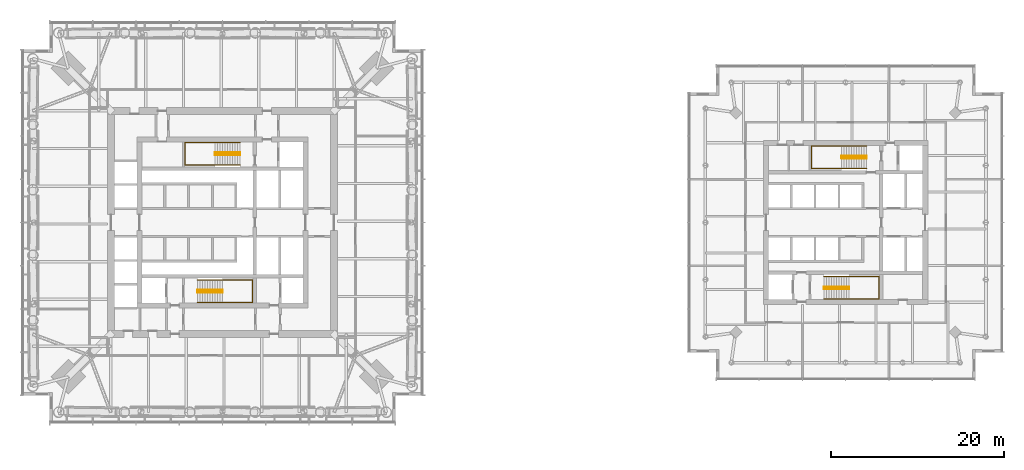
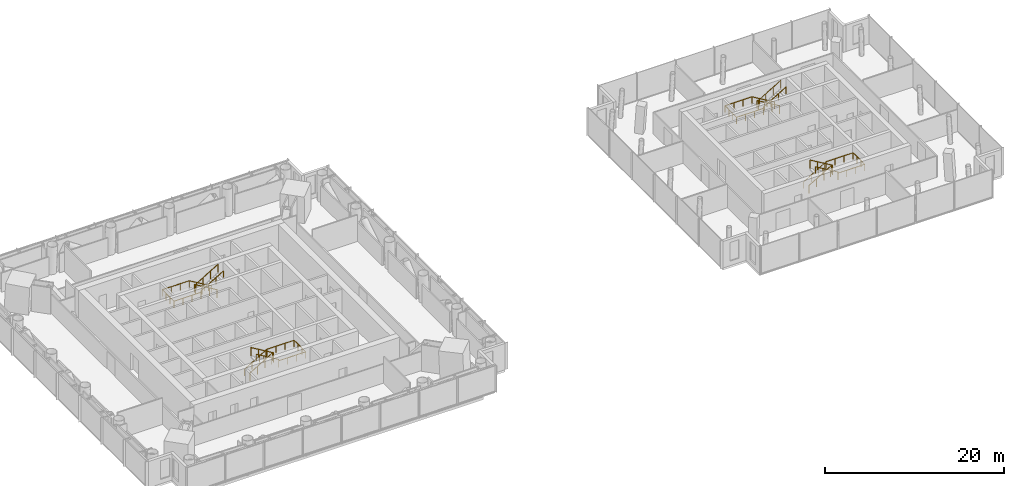
# One storey, part 18 of 18: 8 railings.
"""IFC4 building model written with IfcOpenShell, lengths in metres."""

import ifcopenshell
import ifcopenshell.guid

model = None  # the IFC model being written
_history = None  # IfcOwnerHistory: only IFC2X3 demands one
_inside = {}  # id of a spatial element -> (the spatial element, [elements in it])
_under = {}  # id of a project, library or spatial element -> (it, [spatial elements below it])
_declared = {}  # id of a project -> (the project, [libraries it declares])
_typed = {}  # id of a type object -> (the type object, [elements of that type])
_made_of = {}  # id of a material, layer set ... -> (it, [elements and type objects made of it])


def new_model(schema):
    """Start an empty IFC model of exactly this schema.

    Asked for "IFC4X3", IfcOpenShell would pick the latest addendum, in which some entities
    have other attributes; the version numbers below select the first issue.
    IFC2X3 requires an IfcOwnerHistory on every rooted entity: one is made here for all.
    """
    global model, _history
    if schema == "IFC4X3":
        model = ifcopenshell.file(schema_version=(4, 3, 0, 0))
    else:
        model = ifcopenshell.file(schema=schema)
    _inside.clear()
    _under.clear()
    _declared.clear()
    _typed.clear()
    _made_of.clear()
    _history = None
    if model.schema == "IFC2X3":
        org = make("IfcOrganization", Name="unknown")
        user = make(
            "IfcPersonAndOrganization",
            ThePerson=make("IfcPerson", FamilyName="unknown"),
            TheOrganization=org,
        )
        app = make(
            "IfcApplication",
            ApplicationDeveloper=org,
            Version="unknown",
            ApplicationFullName="unknown",
            ApplicationIdentifier="unknown",
        )
        _history = make(
            "IfcOwnerHistory",
            OwningUser=user,
            OwningApplication=app,
            ChangeAction="ADDED",
            CreationDate=0,
        )
    return model


def make(cls, **values):
    """One entity of the class cls with the attributes given. An attribute that is None is left unset."""
    return model.create_entity(
        cls, **{name: value for name, value in values.items() if value is not None}
    )


def rooted(cls, **values):
    """An entity with a GlobalId (a new one), such as an element, a storey or a relation."""
    return make(cls, GlobalId=ifcopenshell.guid.new(), OwnerHistory=_history, **values)


def si_unit(unit_type, name, prefix=None):
    """IfcSIUnit, for example si_unit("LENGTHUNIT", "METRE", prefix="MILLI")."""
    return make("IfcSIUnit", UnitType=unit_type, Prefix=prefix, Name=name)


def assignment(units):
    """IfcUnitAssignment: the units of a project."""
    return None if units is None else make("IfcUnitAssignment", Units=units)


def point(xyz):
    """IfcCartesianPoint."""
    return None if xyz is None else make("IfcCartesianPoint", Coordinates=xyz)


def direction(xyz):
    """IfcDirection."""
    return None if xyz is None else make("IfcDirection", DirectionRatios=xyz)


def frame(location, z_axis=None, x_axis=None):
    """IfcAxis2Placement3D, a coordinate frame: its origin and axes. An axis left out is left unset."""
    return make(
        "IfcAxis2Placement3D",
        Location=point(location),
        Axis=direction(z_axis),
        RefDirection=direction(x_axis),
    )


def frame_2d(location, x_axis=None):
    """IfcAxis2Placement2D, a coordinate frame in the plane: its origin and x axis."""
    return make(
        "IfcAxis2Placement2D", Location=point(location), RefDirection=direction(x_axis)
    )


def origin():
    """The frame at (0, 0, 0) with its axes left unset."""
    return frame((0.0, 0.0, 0.0))


def origin_2d():
    """The frame at (0, 0) in the plane with its x axis left unset."""
    return frame_2d((0.0, 0.0))


def place(relative_to, where):
    """IfcLocalPlacement: puts the frame where relative to a parent placement (None: the world)."""
    return make(
        "IfcLocalPlacement", PlacementRelTo=relative_to, RelativePlacement=where
    )


def context(
    kind, dimensions, precision=None, world=None, true_north=None, identifier=None
):
    """IfcGeometricRepresentationContext, for example the 3D "Model" context."""
    return make(
        "IfcGeometricRepresentationContext",
        ContextIdentifier=identifier,
        ContextType=kind,
        CoordinateSpaceDimension=dimensions,
        Precision=precision,
        WorldCoordinateSystem=world,
        TrueNorth=true_north,
    )


def subcontext(parent, identifier, kind, view, scale=None):
    """IfcGeometricRepresentationSubContext, for example "Body" below "Model"."""
    return make(
        "IfcGeometricRepresentationSubContext",
        ContextIdentifier=identifier,
        ContextType=kind,
        ParentContext=parent,
        TargetScale=scale,
        TargetView=view,
    )


def project(units=None, contexts=None):
    """IfcProject with its units and contexts."""
    return rooted(
        "IfcProject",
        Name="project",
        RepresentationContexts=contexts,
        UnitsInContext=assignment(units),
    )


def spatial(cls, under=None, at=None, **own):
    """A site, building, storey or space (cls), placed at a placement, below another one or the project."""
    s = rooted(cls, ObjectPlacement=at, **own)
    if under is not None:
        _under.setdefault(under.id(), (under, []))[1].append(s)
    return s


def profile(cls, at=None, kind="AREA", **sizes):
    """A parametric profile (cls). Its sizes go by their IFC names, for example OverallWidth=200.0."""
    return make(cls, ProfileType=kind, Position=at, **sizes)


def circle(**sizes):
    """IfcCircleProfileDef."""
    return profile("IfcCircleProfileDef", **sizes)


def extrude(swept, where, along, depth):
    """IfcExtrudedAreaSolid: the profile swept, set in the frame where, extruded along a direction by depth."""
    return make(
        "IfcExtrudedAreaSolid",
        SweptArea=swept,
        Position=where,
        ExtrudedDirection=direction(along),
        Depth=depth,
    )


def shape(context_of_items, identifier, shape_type, items):
    """IfcShapeRepresentation: the items that make up one representation, for example the "Body"."""
    return make(
        "IfcShapeRepresentation",
        ContextOfItems=context_of_items,
        RepresentationIdentifier=identifier,
        RepresentationType=shape_type,
        Items=items,
    )


def material(Name=None, Category=None):
    """IfcMaterial."""
    return make("IfcMaterial", Name=Name, Category=Category)


def made_of(thing, what):
    """Note that an element or type object is made of a material, layer set ...; save() writes the relation."""
    if what is not None:
        _made_of.setdefault(what.id(), (what, []))[1].append(thing)
    return thing


def type_object(cls, material=None, **own):
    """A type object (cls), such as IfcWallType, which elements share."""
    return made_of(rooted(cls, **own), material)


def element(
    cls,
    number,
    at=None,
    inside=None,
    cuts=None,
    type_object=None,
    material=None,
    context=None,
    identifier="Body",
    shape_type=None,
    held_by="IfcProductDefinitionShape",
    body=None,
    shapes=None,
    **own,
):
    """One element of the class cls, such as IfcWall. Its Tag is "e" and its number.

    at: its placement. inside: the storey or other place that contains it. cuts: it is an
    opening in that element (IfcRelVoidsElement). A single representation is given by context,
    identifier, shape_type and body (its items); several are given by shapes. held_by: the class
    of the entity that holds the representations. save() writes the other relations.
    """
    e = rooted(cls, Tag="e%d" % number, ObjectPlacement=at, **own)
    if body is not None:
        shapes = [shape(context, identifier, shape_type, body)]
    if shapes is not None:
        e.Representation = make(held_by, Representations=shapes)
    if inside is not None:
        _inside.setdefault(inside.id(), (inside, []))[1].append(e)
    if cuts is not None:
        rooted(
            "IfcRelVoidsElement", RelatingBuildingElement=cuts, RelatedOpeningElement=e
        )
    if type_object is not None:
        _typed.setdefault(type_object.id(), (type_object, []))[1].append(e)
    return made_of(e, material)


def aggregate(whole, parts):
    """IfcRelAggregates: a whole, such as a stair, and the parts it consists of."""
    return rooted("IfcRelAggregates", RelatingObject=whole, RelatedObjects=parts)


def save(model, path):
    """Write the relations noted so far, then the file.

    IfcRelAggregates (storeys below a building ...), IfcRelContainedInSpatialStructure (elements
    in a storey), IfcRelDefinesByType, IfcRelAssociatesMaterial and IfcRelDeclares: one each for
    every whole, place, type object, material and project.
    """
    for whole, parts in _under.values():
        aggregate(whole, parts)
    for where, things in _inside.values():
        rooted(
            "IfcRelContainedInSpatialStructure",
            RelatedElements=things,
            RelatingStructure=where,
        )
    for kind, things in _typed.values():
        rooted("IfcRelDefinesByType", RelatedObjects=things, RelatingType=kind)
    for what, things in _made_of.values():
        rooted("IfcRelAssociatesMaterial", RelatedObjects=things, RelatingMaterial=what)
    for by, libraries in _declared.values():
        rooted("IfcRelDeclares", RelatingContext=by, RelatedDefinitions=libraries)
    model.write(path)


model = new_model("IFC4")

# Units and contexts
model_context = context("Model", 3, precision=1e-05, world=origin(), true_north=direction((0.0, 1.0)))
body_context = subcontext(model_context, "Body", "Model", "MODEL_VIEW")
ifc_project = project(units=[si_unit("LENGTHUNIT", "METRE"), si_unit("AREAUNIT", "SQUARE_METRE"), si_unit("VOLUMEUNIT", "CUBIC_METRE"), si_unit("PLANEANGLEUNIT", "RADIAN"), si_unit("MASSUNIT", "GRAM", prefix="KILO")], contexts=[model_context])

# Site, building, storey
site_placement = place(None, origin())
site = spatial("IfcSite", under=ifc_project, at=site_placement, CompositionType="ELEMENT")
building_placement = place(site_placement, origin())
building = spatial("IfcBuilding", under=site, at=building_placement, Name="Ostroluk Exchange", CompositionType="ELEMENT")
storey_placement = place(building_placement, frame((0.0, 0.0, 85.60009765625)))
storey = spatial("IfcBuildingStorey", under=building, at=storey_placement, Name="L21", CompositionType="ELEMENT", Elevation=85.60009765625)

# Railings
ifc_material_1 = material(Name="Steel S355", Category="steel")
railing_type_1 = type_object("IfcRailingType", Name="Stair guard 1100", PredefinedType="GUARDRAIL", material=ifc_material_1)
railing_1_placement = place(storey_placement, frame((42.10009765625, 38.179931640625, 0.172607421875)))
element("IfcRailing", 1, at=railing_1_placement, inside=storey, type_object=railing_type_1, Name="Stair T1-S1 guard L21", PredefinedType="GUARDRAIL", context=body_context, shape_type="SweptSolid", body=[
    extrude(circle(Radius=0.02392578125, at=origin_2d()), frame((0.0, 0.0, 1.076171875), z_axis=(0.859141464434, 0.0, 0.511738159696), x_axis=(0.0, 1.0, 0.0)), (0.0, 0.0, 1.0), 3.375244140625),
    extrude(circle(Radius=0.02392578125, at=origin_2d()), frame((2.89990234375, 0.0, 2.80322265625), z_axis=(0.0, -1.0, 0.0), x_axis=(1.0, 0.0, 0.0)), (0.0, 0.0, 1.0), 0.260009765625),
    extrude(circle(Radius=0.02392578125, at=origin_2d()), frame((2.89990234375, -0.260009765625, 2.80322265625), z_axis=(0.0, 0.0, 1.0), x_axis=(1.0, 0.0, 0.0)), (0.0, 0.0, 1.0), 0.172607421875),
    extrude(circle(Radius=0.02392578125, at=origin_2d()), frame((2.89990234375, -0.260009765625, 2.97607421875), z_axis=(-0.859141464434, 0.0, 0.511738159696), x_axis=(0.0, -1.0, 0.0)), (0.0, 0.0, 1.0), 3.375244140625),
    extrude(circle(Radius=0.02099609375, at=origin_2d()), origin(), (0.0, 0.0, 1.0), 1.052001953125),
    extrude(circle(Radius=0.02099609375, at=origin_2d()), frame((0.966552734375, 0.0, 0.57568359375)), (0.0, 0.0, 1.0), 1.052001953125),
    extrude(circle(Radius=0.02099609375, at=origin_2d()), frame((1.933349609375, 0.0, 1.151611328125)), (0.0, 0.0, 1.0), 1.052001953125),
    extrude(circle(Radius=0.02099609375, at=origin_2d()), frame((2.89990234375, 0.0, 1.727294921875)), (0.0, 0.0, 1.0), 1.052001953125),
    extrude(circle(Radius=0.02099609375, at=origin_2d()), frame((2.89990234375, -0.260009765625, 1.727294921875)), (0.0, 0.0, 1.0), 1.052001953125),
    extrude(circle(Radius=0.02099609375, at=origin_2d()), frame((2.89990234375, -0.260009765625, 1.89990234375)), (0.0, 0.0, 1.0), 1.052001953125),
    extrude(circle(Radius=0.02099609375, at=origin_2d()), frame((1.933349609375, -0.260009765625, 2.4755859375)), (0.0, 0.0, 1.0), 1.052001953125),
    extrude(circle(Radius=0.02099609375, at=origin_2d()), frame((0.966552734375, -0.260009765625, 3.051513671875)), (0.0, 0.0, 1.0), 1.052001953125),
    extrude(circle(Radius=0.02099609375, at=origin_2d()), frame((0.0, -0.260009765625, 3.627197265625)), (0.0, 0.0, 1.0), 1.052001953125),
])
railing_2_placement = place(storey_placement, frame((47.030029296875, 54.080078125, 0.172607421875)))
element("IfcRailing", 2, at=railing_2_placement, inside=storey, type_object=railing_type_1, Name="Stair T1-S2 guard L21", PredefinedType="GUARDRAIL", context=body_context, shape_type="SweptSolid", body=[
    extrude(circle(Radius=0.02392578125, at=origin_2d()), frame((0.0, 0.0, 1.076171875), z_axis=(-0.859160404282, 0.0, 0.51170636083), x_axis=(0.0, -1.0, 0.0)), (0.0, 0.0, 1.0), 3.37548828125),
    extrude(circle(Radius=0.02392578125, at=origin_2d()), frame((-2.900146484375, 0.0, 2.80322265625), z_axis=(0.0, -1.0, 0.0), x_axis=(1.0, 0.0, 0.0)), (0.0, 0.0, 1.0), 0.260009765625),
    extrude(circle(Radius=0.02392578125, at=origin_2d()), frame((-2.900146484375, -0.260009765625, 2.80322265625), z_axis=(0.0, 0.0, 1.0), x_axis=(1.0, 0.0, 0.0)), (0.0, 0.0, 1.0), 0.172607421875),
    extrude(circle(Radius=0.02392578125, at=origin_2d()), frame((-2.900146484375, -0.260009765625, 2.97607421875), z_axis=(0.859160404282, 0.0, 0.51170636083), x_axis=(0.0, 1.0, 0.0)), (0.0, 0.0, 1.0), 3.37548828125),
    extrude(circle(Radius=0.02099609375, at=origin_2d()), origin(), (0.0, 0.0, 1.0), 1.052001953125),
    extrude(circle(Radius=0.02099609375, at=origin_2d()), frame((-0.966796875, 0.0, 0.57568359375)), (0.0, 0.0, 1.0), 1.052001953125),
    extrude(circle(Radius=0.02099609375, at=origin_2d()), frame((-1.933349609375, 0.0, 1.151611328125)), (0.0, 0.0, 1.0), 1.052001953125),
    extrude(circle(Radius=0.02099609375, at=origin_2d()), frame((-2.900146484375, 0.0, 1.727294921875)), (0.0, 0.0, 1.0), 1.052001953125),
    extrude(circle(Radius=0.02099609375, at=origin_2d()), frame((-2.900146484375, -0.260009765625, 1.727294921875)), (0.0, 0.0, 1.0), 1.052001953125),
    extrude(circle(Radius=0.02099609375, at=origin_2d()), frame((-2.900146484375, -0.260009765625, 1.89990234375)), (0.0, 0.0, 1.0), 1.052001953125),
    extrude(circle(Radius=0.02099609375, at=origin_2d()), frame((-1.933349609375, -0.260009765625, 2.4755859375)), (0.0, 0.0, 1.0), 1.052001953125),
    extrude(circle(Radius=0.02099609375, at=origin_2d()), frame((-0.966796875, -0.260009765625, 3.051513671875)), (0.0, 0.0, 1.0), 1.052001953125),
    extrude(circle(Radius=0.02099609375, at=origin_2d()), frame((0.0, -0.260009765625, 3.627197265625)), (0.0, 0.0, 1.0), 1.052001953125),
])
railing_3_placement = place(storey_placement, frame((114.5, 38.580078125, 0.172607421875)))
element("IfcRailing", 3, at=railing_3_placement, inside=storey, type_object=railing_type_1, Name="Stair T2-S1 guard L21", PredefinedType="GUARDRAIL", context=body_context, shape_type="SweptSolid", body=[
    extrude(circle(Radius=0.02392578125, at=origin_2d()), frame((0.0, 0.0, 1.076171875), z_axis=(0.859141464434, 0.0, 0.511738159696), x_axis=(0.0, 1.0, 0.0)), (0.0, 0.0, 1.0), 3.375244140625),
    extrude(circle(Radius=0.02392578125, at=origin_2d()), frame((2.89990234375, 0.0, 2.80322265625), z_axis=(0.0, -1.0, 0.0), x_axis=(1.0, 0.0, 0.0)), (0.0, 0.0, 1.0), 0.260009765625),
    extrude(circle(Radius=0.02392578125, at=origin_2d()), frame((2.89990234375, -0.260009765625, 2.80322265625), z_axis=(0.0, 0.0, 1.0), x_axis=(1.0, 0.0, 0.0)), (0.0, 0.0, 1.0), 0.172607421875),
    extrude(circle(Radius=0.02392578125, at=origin_2d()), frame((2.89990234375, -0.260009765625, 2.97607421875), z_axis=(-0.859141464434, 0.0, 0.511738159696), x_axis=(0.0, -1.0, 0.0)), (0.0, 0.0, 1.0), 3.375244140625),
    extrude(circle(Radius=0.02099609375, at=origin_2d()), origin(), (0.0, 0.0, 1.0), 1.052001953125),
    extrude(circle(Radius=0.02099609375, at=origin_2d()), frame((0.966552734375, 0.0, 0.57568359375)), (0.0, 0.0, 1.0), 1.052001953125),
    extrude(circle(Radius=0.02099609375, at=origin_2d()), frame((1.933349609375, 0.0, 1.151611328125)), (0.0, 0.0, 1.0), 1.052001953125),
    extrude(circle(Radius=0.02099609375, at=origin_2d()), frame((2.89990234375, 0.0, 1.727294921875)), (0.0, 0.0, 1.0), 1.052001953125),
    extrude(circle(Radius=0.02099609375, at=origin_2d()), frame((2.89990234375, -0.260009765625, 1.727294921875)), (0.0, 0.0, 1.0), 1.052001953125),
    extrude(circle(Radius=0.02099609375, at=origin_2d()), frame((2.89990234375, -0.260009765625, 1.89990234375)), (0.0, 0.0, 1.0), 1.052001953125),
    extrude(circle(Radius=0.02099609375, at=origin_2d()), frame((1.933349609375, -0.260009765625, 2.4755859375)), (0.0, 0.0, 1.0), 1.052001953125),
    extrude(circle(Radius=0.02099609375, at=origin_2d()), frame((0.966552734375, -0.260009765625, 3.051513671875)), (0.0, 0.0, 1.0), 1.052001953125),
    extrude(circle(Radius=0.02099609375, at=origin_2d()), frame((0.0, -0.260009765625, 3.627197265625)), (0.0, 0.0, 1.0), 1.052001953125),
])
railing_4_placement = place(storey_placement, frame((119.429931640625, 53.679931640625, 0.172607421875)))
element("IfcRailing", 4, at=railing_4_placement, inside=storey, type_object=railing_type_1, Name="Stair T2-S2 guard L21", PredefinedType="GUARDRAIL", context=body_context, shape_type="SweptSolid", body=[
    extrude(circle(Radius=0.02392578125, at=origin_2d()), frame((0.0, 0.0, 1.076171875), z_axis=(-0.859141464434, 0.0, 0.511738159696), x_axis=(0.0, -1.0, 0.0)), (0.0, 0.0, 1.0), 3.375244140625),
    extrude(circle(Radius=0.02392578125, at=origin_2d()), frame((-2.89990234375, 0.0, 2.80322265625), z_axis=(0.0, -1.0, 0.0), x_axis=(1.0, 0.0, 0.0)), (0.0, 0.0, 1.0), 0.260009765625),
    extrude(circle(Radius=0.02392578125, at=origin_2d()), frame((-2.89990234375, -0.260009765625, 2.80322265625), z_axis=(0.0, 0.0, 1.0), x_axis=(1.0, 0.0, 0.0)), (0.0, 0.0, 1.0), 0.172607421875),
    extrude(circle(Radius=0.02392578125, at=origin_2d()), frame((-2.89990234375, -0.260009765625, 2.97607421875), z_axis=(0.859141464434, 0.0, 0.511738159696), x_axis=(0.0, 1.0, 0.0)), (0.0, 0.0, 1.0), 3.375244140625),
    extrude(circle(Radius=0.02099609375, at=origin_2d()), origin(), (0.0, 0.0, 1.0), 1.052001953125),
    extrude(circle(Radius=0.02099609375, at=origin_2d()), frame((-0.966552734375, 0.0, 0.57568359375)), (0.0, 0.0, 1.0), 1.052001953125),
    extrude(circle(Radius=0.02099609375, at=origin_2d()), frame((-1.933349609375, 0.0, 1.151611328125)), (0.0, 0.0, 1.0), 1.052001953125),
    extrude(circle(Radius=0.02099609375, at=origin_2d()), frame((-2.89990234375, 0.0, 1.727294921875)), (0.0, 0.0, 1.0), 1.052001953125),
    extrude(circle(Radius=0.02099609375, at=origin_2d()), frame((-2.89990234375, -0.260009765625, 1.727294921875)), (0.0, 0.0, 1.0), 1.052001953125),
    extrude(circle(Radius=0.02099609375, at=origin_2d()), frame((-2.89990234375, -0.260009765625, 1.89990234375)), (0.0, 0.0, 1.0), 1.052001953125),
    extrude(circle(Radius=0.02099609375, at=origin_2d()), frame((-1.933349609375, -0.260009765625, 2.4755859375)), (0.0, 0.0, 1.0), 1.052001953125),
    extrude(circle(Radius=0.02099609375, at=origin_2d()), frame((-0.966552734375, -0.260009765625, 3.051513671875)), (0.0, 0.0, 1.0), 1.052001953125),
    extrude(circle(Radius=0.02099609375, at=origin_2d()), frame((0.0, -0.260009765625, 3.627197265625)), (0.0, 0.0, 1.0), 1.052001953125),
])
ifc_material_2 = material(Name="Stainless steel", Category="steel")
railing_type_2 = type_object("IfcRailingType", Name="Stair handrail 900", PredefinedType="HANDRAIL", material=ifc_material_2)
railing_5_placement = place(storey_placement, frame((42.10009765625, 39.35009765625, 0.172607421875)))
element("IfcRailing", 5, at=railing_5_placement, inside=storey, type_object=railing_type_2, Name="Stair T1-S1 handrail L21", PredefinedType="HANDRAIL", context=body_context, shape_type="SweptSolid", body=[
    extrude(circle(Radius=0.02392578125, at=origin_2d()), frame((0.0, 0.0, 0.8759765625), z_axis=(0.859141464434, 0.0, 0.511738159696), x_axis=(0.0, 1.0, 0.0)), (0.0, 0.0, 1.0), 3.375244140625),
    extrude(circle(Radius=0.02392578125, at=origin_2d()), frame((2.89990234375, 0.0, 2.60302734375), z_axis=(1.0, 0.0, 0.0), x_axis=(0.0, 1.0, 0.0)), (0.0, 0.0, 1.0), 3.47998046875),
    extrude(circle(Radius=0.02392578125, at=origin_2d()), frame((6.3798828125, 0.0, 2.60302734375), z_axis=(0.0, -1.0, 0.0), x_axis=(1.0, 0.0, 0.0)), (0.0, 0.0, 1.0), 2.60009765625),
    extrude(circle(Radius=0.02392578125, at=origin_2d()), frame((6.3798828125, -2.60009765625, 2.60302734375), z_axis=(-1.0, 0.0, 0.0), x_axis=(0.0, -1.0, 0.0)), (0.0, 0.0, 1.0), 3.47998046875),
    extrude(circle(Radius=0.02392578125, at=origin_2d()), frame((2.89990234375, -2.60009765625, 2.60302734375), z_axis=(0.0, 0.0, 1.0), x_axis=(1.0, 0.0, 0.0)), (0.0, 0.0, 1.0), 0.172607421875),
    extrude(circle(Radius=0.02392578125, at=origin_2d()), frame((2.89990234375, -2.60009765625, 2.77587890625), z_axis=(-0.859141464434, 0.0, 0.511738159696), x_axis=(0.0, -1.0, 0.0)), (0.0, 0.0, 1.0), 3.375244140625),
    extrude(circle(Radius=0.02099609375, at=origin_2d()), origin(), (0.0, 0.0, 1.0), 0.851806640625),
    extrude(circle(Radius=0.02099609375, at=origin_2d()), frame((0.966552734375, 0.0, 0.57568359375)), (0.0, 0.0, 1.0), 0.851806640625),
    extrude(circle(Radius=0.02099609375, at=origin_2d()), frame((1.933349609375, 0.0, 1.151611328125)), (0.0, 0.0, 1.0), 0.851806640625),
    extrude(circle(Radius=0.02099609375, at=origin_2d()), frame((2.89990234375, 0.0, 1.727294921875)), (0.0, 0.0, 1.0), 0.851806640625),
    extrude(circle(Radius=0.02099609375, at=origin_2d()), frame((4.059814453125, 0.0, 1.727294921875)), (0.0, 0.0, 1.0), 0.851806640625),
    extrude(circle(Radius=0.02099609375, at=origin_2d()), frame((5.219970703125, 0.0, 1.727294921875)), (0.0, 0.0, 1.0), 0.851806640625),
    extrude(circle(Radius=0.02099609375, at=origin_2d()), frame((6.3798828125, 0.0, 1.727294921875)), (0.0, 0.0, 1.0), 0.851806640625),
    extrude(circle(Radius=0.02099609375, at=origin_2d()), frame((6.3798828125, -0.86669921875, 1.727294921875)), (0.0, 0.0, 1.0), 0.851806640625),
    extrude(circle(Radius=0.02099609375, at=origin_2d()), frame((6.3798828125, -1.7333984375, 1.727294921875)), (0.0, 0.0, 1.0), 0.851806640625),
    extrude(circle(Radius=0.02099609375, at=origin_2d()), frame((6.3798828125, -2.60009765625, 1.727294921875)), (0.0, 0.0, 1.0), 0.851806640625),
    extrude(circle(Radius=0.02099609375, at=origin_2d()), frame((5.219970703125, -2.60009765625, 1.727294921875)), (0.0, 0.0, 1.0), 0.851806640625),
    extrude(circle(Radius=0.02099609375, at=origin_2d()), frame((4.059814453125, -2.60009765625, 1.727294921875)), (0.0, 0.0, 1.0), 0.851806640625),
    extrude(circle(Radius=0.02099609375, at=origin_2d()), frame((2.89990234375, -2.60009765625, 1.727294921875)), (0.0, 0.0, 1.0), 0.851806640625),
    extrude(circle(Radius=0.02099609375, at=origin_2d()), frame((2.89990234375, -2.60009765625, 1.89990234375)), (0.0, 0.0, 1.0), 0.851806640625),
    extrude(circle(Radius=0.02099609375, at=origin_2d()), frame((1.933349609375, -2.60009765625, 2.4755859375)), (0.0, 0.0, 1.0), 0.851806640625),
    extrude(circle(Radius=0.02099609375, at=origin_2d()), frame((0.966552734375, -2.60009765625, 3.051513671875)), (0.0, 0.0, 1.0), 0.851806640625),
    extrude(circle(Radius=0.02099609375, at=origin_2d()), frame((0.0, -2.60009765625, 3.627197265625)), (0.0, 0.0, 1.0), 0.851806640625),
])
railing_6_placement = place(storey_placement, frame((47.030029296875, 55.25, 0.172607421875)))
element("IfcRailing", 6, at=railing_6_placement, inside=storey, type_object=railing_type_2, Name="Stair T1-S2 handrail L21", PredefinedType="HANDRAIL", context=body_context, shape_type="SweptSolid", body=[
    extrude(circle(Radius=0.02392578125, at=origin_2d()), frame((0.0, 0.0, 0.8759765625), z_axis=(-0.859160404282, 0.0, 0.51170636083), x_axis=(0.0, -1.0, 0.0)), (0.0, 0.0, 1.0), 3.37548828125),
    extrude(circle(Radius=0.02392578125, at=origin_2d()), frame((-2.900146484375, 0.0, 2.60302734375), z_axis=(-1.0, 0.0, 0.0), x_axis=(0.0, -1.0, 0.0)), (0.0, 0.0, 1.0), 3.47998046875),
    extrude(circle(Radius=0.02392578125, at=origin_2d()), frame((-6.380126953125, 0.0, 2.60302734375), z_axis=(0.0, -1.0, 0.0), x_axis=(1.0, 0.0, 0.0)), (0.0, 0.0, 1.0), 2.60009765625),
    extrude(circle(Radius=0.02392578125, at=origin_2d()), frame((-6.380126953125, -2.60009765625, 2.60302734375), z_axis=(1.0, 0.0, 0.0), x_axis=(0.0, 1.0, 0.0)), (0.0, 0.0, 1.0), 3.47998046875),
    extrude(circle(Radius=0.02392578125, at=origin_2d()), frame((-2.900146484375, -2.60009765625, 2.60302734375), z_axis=(0.0, 0.0, 1.0), x_axis=(1.0, 0.0, 0.0)), (0.0, 0.0, 1.0), 0.172607421875),
    extrude(circle(Radius=0.02392578125, at=origin_2d()), frame((-2.900146484375, -2.60009765625, 2.77587890625), z_axis=(0.859160404282, 0.0, 0.51170636083), x_axis=(0.0, 1.0, 0.0)), (0.0, 0.0, 1.0), 3.37548828125),
    extrude(circle(Radius=0.02099609375, at=origin_2d()), origin(), (0.0, 0.0, 1.0), 0.851806640625),
    extrude(circle(Radius=0.02099609375, at=origin_2d()), frame((-0.966796875, 0.0, 0.57568359375)), (0.0, 0.0, 1.0), 0.851806640625),
    extrude(circle(Radius=0.02099609375, at=origin_2d()), frame((-1.933349609375, 0.0, 1.151611328125)), (0.0, 0.0, 1.0), 0.851806640625),
    extrude(circle(Radius=0.02099609375, at=origin_2d()), frame((-2.900146484375, 0.0, 1.727294921875)), (0.0, 0.0, 1.0), 0.851806640625),
    extrude(circle(Radius=0.02099609375, at=origin_2d()), frame((-4.06005859375, 0.0, 1.727294921875)), (0.0, 0.0, 1.0), 0.851806640625),
    extrude(circle(Radius=0.02099609375, at=origin_2d()), frame((-5.22021484375, 0.0, 1.727294921875)), (0.0, 0.0, 1.0), 0.851806640625),
    extrude(circle(Radius=0.02099609375, at=origin_2d()), frame((-6.380126953125, 0.0, 1.727294921875)), (0.0, 0.0, 1.0), 0.851806640625),
    extrude(circle(Radius=0.02099609375, at=origin_2d()), frame((-6.380126953125, -0.86669921875, 1.727294921875)), (0.0, 0.0, 1.0), 0.851806640625),
    extrude(circle(Radius=0.02099609375, at=origin_2d()), frame((-6.380126953125, -1.7333984375, 1.727294921875)), (0.0, 0.0, 1.0), 0.851806640625),
    extrude(circle(Radius=0.02099609375, at=origin_2d()), frame((-6.380126953125, -2.60009765625, 1.727294921875)), (0.0, 0.0, 1.0), 0.851806640625),
    extrude(circle(Radius=0.02099609375, at=origin_2d()), frame((-5.22021484375, -2.60009765625, 1.727294921875)), (0.0, 0.0, 1.0), 0.851806640625),
    extrude(circle(Radius=0.02099609375, at=origin_2d()), frame((-4.06005859375, -2.60009765625, 1.727294921875)), (0.0, 0.0, 1.0), 0.851806640625),
    extrude(circle(Radius=0.02099609375, at=origin_2d()), frame((-2.900146484375, -2.60009765625, 1.727294921875)), (0.0, 0.0, 1.0), 0.851806640625),
    extrude(circle(Radius=0.02099609375, at=origin_2d()), frame((-2.900146484375, -2.60009765625, 1.89990234375)), (0.0, 0.0, 1.0), 0.851806640625),
    extrude(circle(Radius=0.02099609375, at=origin_2d()), frame((-1.933349609375, -2.60009765625, 2.4755859375)), (0.0, 0.0, 1.0), 0.851806640625),
    extrude(circle(Radius=0.02099609375, at=origin_2d()), frame((-0.966796875, -2.60009765625, 3.051513671875)), (0.0, 0.0, 1.0), 0.851806640625),
    extrude(circle(Radius=0.02099609375, at=origin_2d()), frame((0.0, -2.60009765625, 3.627197265625)), (0.0, 0.0, 1.0), 0.851806640625),
])
railing_7_placement = place(storey_placement, frame((114.5, 39.75, 0.172607421875)))
element("IfcRailing", 7, at=railing_7_placement, inside=storey, type_object=railing_type_2, Name="Stair T2-S1 handrail L21", PredefinedType="HANDRAIL", context=body_context, shape_type="SweptSolid", body=[
    extrude(circle(Radius=0.02392578125, at=origin_2d()), frame((0.0, 0.0, 0.8759765625), z_axis=(0.859141464434, 0.0, 0.511738159696), x_axis=(0.0, 1.0, 0.0)), (0.0, 0.0, 1.0), 3.375244140625),
    extrude(circle(Radius=0.02392578125, at=origin_2d()), frame((2.89990234375, 0.0, 2.60302734375), z_axis=(1.0, 0.0, 0.0), x_axis=(0.0, 1.0, 0.0)), (0.0, 0.0, 1.0), 3.47998046875),
    extrude(circle(Radius=0.02392578125, at=origin_2d()), frame((6.3798828125, 0.0, 2.60302734375), z_axis=(0.0, -1.0, 0.0), x_axis=(1.0, 0.0, 0.0)), (0.0, 0.0, 1.0), 2.60009765625),
    extrude(circle(Radius=0.02392578125, at=origin_2d()), frame((6.3798828125, -2.60009765625, 2.60302734375), z_axis=(-1.0, 0.0, 0.0), x_axis=(0.0, -1.0, 0.0)), (0.0, 0.0, 1.0), 3.47998046875),
    extrude(circle(Radius=0.02392578125, at=origin_2d()), frame((2.89990234375, -2.60009765625, 2.60302734375), z_axis=(0.0, 0.0, 1.0), x_axis=(1.0, 0.0, 0.0)), (0.0, 0.0, 1.0), 0.172607421875),
    extrude(circle(Radius=0.02392578125, at=origin_2d()), frame((2.89990234375, -2.60009765625, 2.77587890625), z_axis=(-0.859141464434, 0.0, 0.511738159696), x_axis=(0.0, -1.0, 0.0)), (0.0, 0.0, 1.0), 3.375244140625),
    extrude(circle(Radius=0.02099609375, at=origin_2d()), origin(), (0.0, 0.0, 1.0), 0.851806640625),
    extrude(circle(Radius=0.02099609375, at=origin_2d()), frame((0.966552734375, 0.0, 0.57568359375)), (0.0, 0.0, 1.0), 0.851806640625),
    extrude(circle(Radius=0.02099609375, at=origin_2d()), frame((1.933349609375, 0.0, 1.151611328125)), (0.0, 0.0, 1.0), 0.851806640625),
    extrude(circle(Radius=0.02099609375, at=origin_2d()), frame((2.89990234375, 0.0, 1.727294921875)), (0.0, 0.0, 1.0), 0.851806640625),
    extrude(circle(Radius=0.02099609375, at=origin_2d()), frame((4.059814453125, 0.0, 1.727294921875)), (0.0, 0.0, 1.0), 0.851806640625),
    extrude(circle(Radius=0.02099609375, at=origin_2d()), frame((5.219970703125, 0.0, 1.727294921875)), (0.0, 0.0, 1.0), 0.851806640625),
    extrude(circle(Radius=0.02099609375, at=origin_2d()), frame((6.3798828125, 0.0, 1.727294921875)), (0.0, 0.0, 1.0), 0.851806640625),
    extrude(circle(Radius=0.02099609375, at=origin_2d()), frame((6.3798828125, -0.86669921875, 1.727294921875)), (0.0, 0.0, 1.0), 0.851806640625),
    extrude(circle(Radius=0.02099609375, at=origin_2d()), frame((6.3798828125, -1.7333984375, 1.727294921875)), (0.0, 0.0, 1.0), 0.851806640625),
    extrude(circle(Radius=0.02099609375, at=origin_2d()), frame((6.3798828125, -2.60009765625, 1.727294921875)), (0.0, 0.0, 1.0), 0.851806640625),
    extrude(circle(Radius=0.02099609375, at=origin_2d()), frame((5.219970703125, -2.60009765625, 1.727294921875)), (0.0, 0.0, 1.0), 0.851806640625),
    extrude(circle(Radius=0.02099609375, at=origin_2d()), frame((4.059814453125, -2.60009765625, 1.727294921875)), (0.0, 0.0, 1.0), 0.851806640625),
    extrude(circle(Radius=0.02099609375, at=origin_2d()), frame((2.89990234375, -2.60009765625, 1.727294921875)), (0.0, 0.0, 1.0), 0.851806640625),
    extrude(circle(Radius=0.02099609375, at=origin_2d()), frame((2.89990234375, -2.60009765625, 1.89990234375)), (0.0, 0.0, 1.0), 0.851806640625),
    extrude(circle(Radius=0.02099609375, at=origin_2d()), frame((1.933349609375, -2.60009765625, 2.4755859375)), (0.0, 0.0, 1.0), 0.851806640625),
    extrude(circle(Radius=0.02099609375, at=origin_2d()), frame((0.966552734375, -2.60009765625, 3.051513671875)), (0.0, 0.0, 1.0), 0.851806640625),
    extrude(circle(Radius=0.02099609375, at=origin_2d()), frame((0.0, -2.60009765625, 3.627197265625)), (0.0, 0.0, 1.0), 0.851806640625),
])
railing_8_placement = place(storey_placement, frame((119.429931640625, 54.85009765625, 0.172607421875)))
element("IfcRailing", 8, at=railing_8_placement, inside=storey, type_object=railing_type_2, Name="Stair T2-S2 handrail L21", PredefinedType="HANDRAIL", context=body_context, shape_type="SweptSolid", body=[
    extrude(circle(Radius=0.02392578125, at=origin_2d()), frame((0.0, 0.0, 0.8759765625), z_axis=(-0.859141464434, 0.0, 0.511738159696), x_axis=(0.0, -1.0, 0.0)), (0.0, 0.0, 1.0), 3.375244140625),
    extrude(circle(Radius=0.02392578125, at=origin_2d()), frame((-2.89990234375, 0.0, 2.60302734375), z_axis=(-1.0, 0.0, 0.0), x_axis=(0.0, -1.0, 0.0)), (0.0, 0.0, 1.0), 3.47998046875),
    extrude(circle(Radius=0.02392578125, at=origin_2d()), frame((-6.3798828125, 0.0, 2.60302734375), z_axis=(0.0, -1.0, 0.0), x_axis=(1.0, 0.0, 0.0)), (0.0, 0.0, 1.0), 2.60009765625),
    extrude(circle(Radius=0.02392578125, at=origin_2d()), frame((-6.3798828125, -2.60009765625, 2.60302734375), z_axis=(1.0, 0.0, 0.0), x_axis=(0.0, 1.0, 0.0)), (0.0, 0.0, 1.0), 3.47998046875),
    extrude(circle(Radius=0.02392578125, at=origin_2d()), frame((-2.89990234375, -2.60009765625, 2.60302734375), z_axis=(0.0, 0.0, 1.0), x_axis=(1.0, 0.0, 0.0)), (0.0, 0.0, 1.0), 0.172607421875),
    extrude(circle(Radius=0.02392578125, at=origin_2d()), frame((-2.89990234375, -2.60009765625, 2.77587890625), z_axis=(0.859141464434, 0.0, 0.511738159696), x_axis=(0.0, 1.0, 0.0)), (0.0, 0.0, 1.0), 3.375244140625),
    extrude(circle(Radius=0.02099609375, at=origin_2d()), origin(), (0.0, 0.0, 1.0), 0.851806640625),
    extrude(circle(Radius=0.02099609375, at=origin_2d()), frame((-0.966552734375, 0.0, 0.57568359375)), (0.0, 0.0, 1.0), 0.851806640625),
    extrude(circle(Radius=0.02099609375, at=origin_2d()), frame((-1.933349609375, 0.0, 1.151611328125)), (0.0, 0.0, 1.0), 0.851806640625),
    extrude(circle(Radius=0.02099609375, at=origin_2d()), frame((-2.89990234375, 0.0, 1.727294921875)), (0.0, 0.0, 1.0), 0.851806640625),
    extrude(circle(Radius=0.02099609375, at=origin_2d()), frame((-4.059814453125, 0.0, 1.727294921875)), (0.0, 0.0, 1.0), 0.851806640625),
    extrude(circle(Radius=0.02099609375, at=origin_2d()), frame((-5.219970703125, 0.0, 1.727294921875)), (0.0, 0.0, 1.0), 0.851806640625),
    extrude(circle(Radius=0.02099609375, at=origin_2d()), frame((-6.3798828125, 0.0, 1.727294921875)), (0.0, 0.0, 1.0), 0.851806640625),
    extrude(circle(Radius=0.02099609375, at=origin_2d()), frame((-6.3798828125, -0.86669921875, 1.727294921875)), (0.0, 0.0, 1.0), 0.851806640625),
    extrude(circle(Radius=0.02099609375, at=origin_2d()), frame((-6.3798828125, -1.7333984375, 1.727294921875)), (0.0, 0.0, 1.0), 0.851806640625),
    extrude(circle(Radius=0.02099609375, at=origin_2d()), frame((-6.3798828125, -2.60009765625, 1.727294921875)), (0.0, 0.0, 1.0), 0.851806640625),
    extrude(circle(Radius=0.02099609375, at=origin_2d()), frame((-5.219970703125, -2.60009765625, 1.727294921875)), (0.0, 0.0, 1.0), 0.851806640625),
    extrude(circle(Radius=0.02099609375, at=origin_2d()), frame((-4.059814453125, -2.60009765625, 1.727294921875)), (0.0, 0.0, 1.0), 0.851806640625),
    extrude(circle(Radius=0.02099609375, at=origin_2d()), frame((-2.89990234375, -2.60009765625, 1.727294921875)), (0.0, 0.0, 1.0), 0.851806640625),
    extrude(circle(Radius=0.02099609375, at=origin_2d()), frame((-2.89990234375, -2.60009765625, 1.89990234375)), (0.0, 0.0, 1.0), 0.851806640625),
    extrude(circle(Radius=0.02099609375, at=origin_2d()), frame((-1.933349609375, -2.60009765625, 2.4755859375)), (0.0, 0.0, 1.0), 0.851806640625),
    extrude(circle(Radius=0.02099609375, at=origin_2d()), frame((-0.966552734375, -2.60009765625, 3.051513671875)), (0.0, 0.0, 1.0), 0.851806640625),
    extrude(circle(Radius=0.02099609375, at=origin_2d()), frame((0.0, -2.60009765625, 3.627197265625)), (0.0, 0.0, 1.0), 0.851806640625),
])

save(model, "model.ifc")
